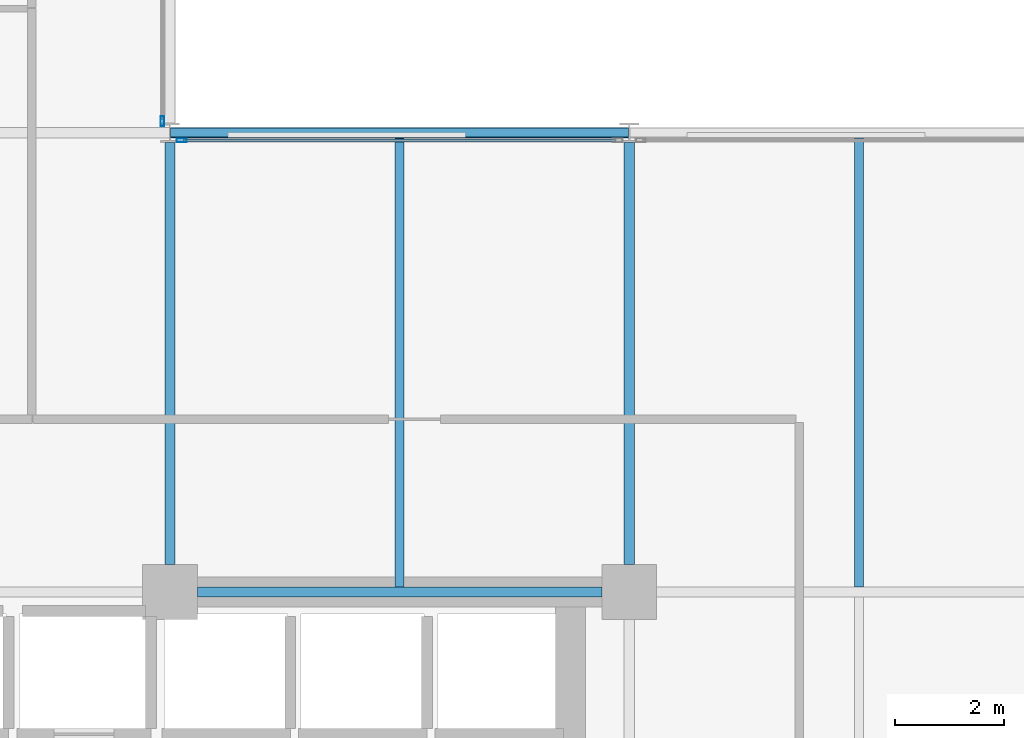
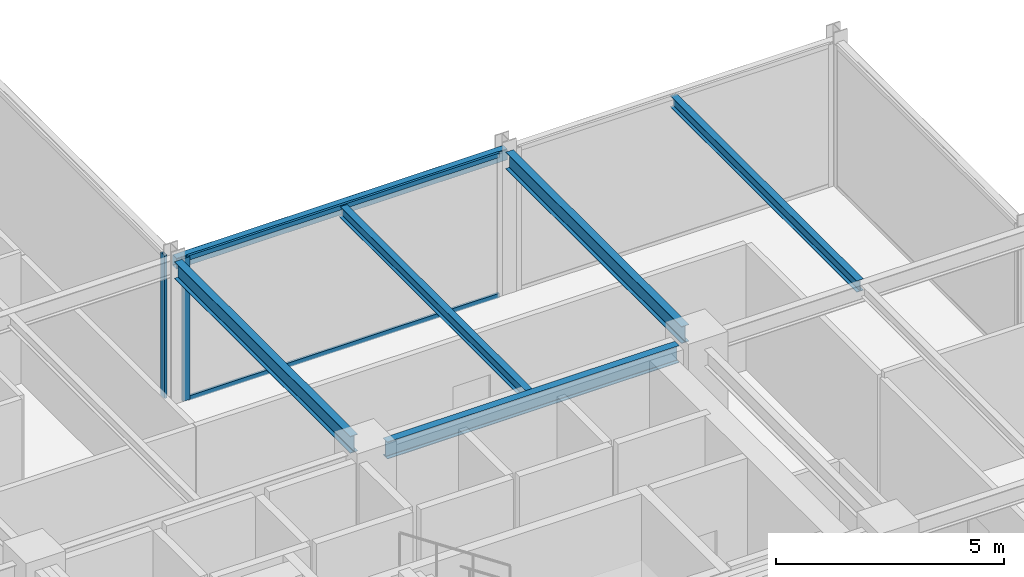
# One storey, part 14 of 29: 6 beams, 4 members, 2 elements without a shape of their own.
"""IFC4 building model written with IfcOpenShell, lengths in metres."""

from ifc_helpers import new_model, si_unit, direction, frame, origin, origin_2d, place, context, subcontext, project, spatial, hollow_rectangle, i_section, extrude, material, layer, layer_set, material_profile, profile_set, type_object, element, aggregate, save


model = new_model("IFC4")

# Units and contexts
model_context = context("Model", 3, precision=1e-05, world=origin(), true_north=direction((0.0, 1.0)))
body_context = subcontext(model_context, "Body", "Model", "MODEL_VIEW")
ifc_project = project(units=[si_unit("LENGTHUNIT", "METRE"), si_unit("AREAUNIT", "SQUARE_METRE"), si_unit("VOLUMEUNIT", "CUBIC_METRE"), si_unit("PLANEANGLEUNIT", "RADIAN"), si_unit("MASSUNIT", "GRAM", prefix="KILO")], contexts=[model_context])

# Site, building, storey
site_placement = place(None, origin())
site = spatial("IfcSite", under=ifc_project, at=site_placement, CompositionType="ELEMENT")
building_placement = place(site_placement, origin())
building = spatial("IfcBuilding", under=site, at=building_placement, Name="Nerrivon Quay Data Exchange", CompositionType="ELEMENT")
storey_placement = place(building_placement, frame((0.0, 0.0, 208.300048828125)))
storey = spatial("IfcBuildingStorey", under=building, at=storey_placement, Name="L49", CompositionType="ELEMENT", Elevation=208.300048828125)

# Beams
ifc_material_1 = material(Name="Steel Grade 350", Category="steel")
ifc_material_profile_1 = material_profile(ifc_material_1, i_section(OverallWidth=0.19091796875, OverallDepth=0.4599609375, WebThickness=0.010009765625, FlangeThickness=0.01611328125, FilletRadius=0.011474609375, at=origin_2d()), Name="460UB82.1")
ifc_profile_set_1 = profile_set([ifc_material_profile_1], Name="Steel Grade 350")
beam_type_1 = type_object("IfcBeamType", Name="BM-G5-460UB82", PredefinedType="BEAM", material=ifc_profile_set_1)
beam_1_placement = place(storey_placement, frame((25.699951171875, 16.800048828125, 3.594970703125), z_axis=(1.0, 0.0, 0.0), x_axis=(0.0, 1.0, 0.0)))
element("IfcBeam", 1, at=beam_1_placement, inside=storey, type_object=beam_type_1, Name="L49 EW Girder Y=16.8 (25.2..33.6)", PredefinedType="BEAM", context=body_context, shape_type="SweptSolid", body=[
    extrude(i_section(OverallWidth=0.19091796875, OverallDepth=0.4599609375, WebThickness=0.010009765625, FlangeThickness=0.01611328125, FilletRadius=0.011474609375, at=origin_2d()), origin(), (0.0, 0.0, 1.0), 7.400146484375),
])
ifc_material_profile_2 = material_profile(ifc_material_1, i_section(OverallWidth=0.18994140625, OverallDepth=0.4541015625, WebThickness=0.008544921875, FlangeThickness=0.0126953125, FilletRadius=0.011474609375, at=origin_2d()), Name="460UB67.1")
ifc_profile_set_2 = profile_set([ifc_material_profile_2], Name="Steel Grade 350")
beam_type_2 = type_object("IfcBeamType", Name="BM-G6-460UB67", PredefinedType="BEAM", material=ifc_profile_set_2)
for number, where, z_axis, x_axis, name in (
    (2, (25.199951171875, 17.300048828125, 3.597900390625), (0.0, 1.0, 0.0), (-1.0, 0.0, 0.0), "L49 NS Girder X=25.2 (16.8..25.2)"),
    (3, (33.60009765625, 17.300048828125, 3.597900390625), (0.0, 1.0, 0.0), (-1.0, 0.0, 0.0), "L49 NS Girder X=33.6 (16.8..25.2)"),
):
    element("IfcBeam", number, at=place(storey_placement, frame(where, z_axis=z_axis, x_axis=x_axis)), inside=storey, type_object=beam_type_2, Name=name, PredefinedType="BEAM", context=body_context, shape_type="SweptSolid", body=[
        extrude(i_section(OverallWidth=0.18994140625, OverallDepth=0.4541015625, WebThickness=0.008544921875, FlangeThickness=0.0126953125, FilletRadius=0.011474609375, at=origin_2d()), origin(), (0.0, 0.0, 1.0), 7.724853515625),
    ])
ifc_material_profile_3 = material_profile(ifc_material_1, i_section(OverallWidth=0.166015625, OverallDepth=0.306884765625, WebThickness=0.006591796875, FlangeThickness=0.01171875, FilletRadius=0.011474609375, at=origin_2d()), Name="310UB46.2")
ifc_profile_set_3 = profile_set([ifc_material_profile_3], Name="Steel Grade 350")
beam_type_3 = type_object("IfcBeamType", Name="BM-J5-310UB46", PredefinedType="JOIST", material=ifc_profile_set_3)
for number, where, z_axis, x_axis, name in (
    (4, (29.39990234375, 16.8955078125, 3.67138671875), (0.0, 1.0, 0.0), (-1.0, 0.0, 0.0), "L49 Secondary Joist X=29.4 (16.8..25.2)"),
    (5, (37.800048828125, 16.8955078125, 3.67138671875), (0.0, 1.0, 0.0), (-1.0, 0.0, 0.0), "L49 Secondary Joist X=37.8 (16.8..25.2)"),
):
    element("IfcBeam", number, at=place(storey_placement, frame(where, z_axis=z_axis, x_axis=x_axis)), inside=storey, type_object=beam_type_3, Name=name, PredefinedType="JOIST", context=body_context, shape_type="SweptSolid", body=[
        extrude(i_section(OverallWidth=0.166015625, OverallDepth=0.306884765625, WebThickness=0.006591796875, FlangeThickness=0.01171875, FilletRadius=0.011474609375, at=origin_2d()), origin(), (0.0, 0.0, 1.0), 8.20458984375),
    ])
ifc_material_2 = material(Name="Steel Grade C350L0 (350 MPa)", Category="steel")
ifc_material_profile_4 = material_profile(ifc_material_2, hollow_rectangle(XDim=0.199951171875, YDim=0.300048828125, WallThickness=0.012451171875, InnerFilletRadius=0.018798828125, OuterFilletRadius=0.03125, at=origin_2d()), Name="300x200x12.5RHS")
ifc_profile_set_4 = profile_set([ifc_material_profile_4], Name="Steel Grade C350L0 (350 MPa)")
beam_type_4 = type_object("IfcBeamType", Name="BM-SP3-300x200RHS", PredefinedType="SPANDREL", material=ifc_profile_set_4)
beam_2_placement = place(storey_placement, frame((25.2099609375, 25.199951171875, 3.675048828125), z_axis=(1.0, 0.0, 0.0), x_axis=(0.0, 1.0, 0.0)))
element("IfcBeam", 6, at=beam_2_placement, inside=storey, type_object=beam_type_4, Name="L49 EW Girder Y=25.2 (25.2..33.6)", PredefinedType="SPANDREL", context=body_context, shape_type="SweptSolid", body=[
    extrude(hollow_rectangle(XDim=0.199951171875, YDim=0.300048828125, WallThickness=0.012451171875, InnerFilletRadius=0.018798828125, OuterFilletRadius=0.03125, at=origin_2d()), origin(), (0.0, 0.0, 1.0), 8.380126953125),
])

# Curtain wall, member
ifc_material_3 = material(Name="Anodised aluminium 6063-T6", Category="aluminium")
ifc_layer = layer(ifc_material_3, 0.195068359375)
ifc_layer_set = layer_set([ifc_layer], Name="Anodised aluminium 6063-T6")
curtain_wall_type = type_object("IfcCurtainWallType", Name="CW-SYS-06", PredefinedType="NOTDEFINED", material=ifc_layer_set)
curtain_wall_1_placement = place(storey_placement, origin())
curtain_wall_1 = element("IfcCurtainWall", 7, at=curtain_wall_1_placement, inside=storey, type_object=curtain_wall_type, Name="L49 Unitised Curtain Wall 15", PredefinedType="NOTDEFINED")
ifc_material_profile_5 = material_profile(ifc_material_3, hollow_rectangle(XDim=0.06494140625, YDim=0.179931640625, WallThickness=0.00341796875, at=origin_2d()), Name="ALU-MULL-180x65")
ifc_profile_set_5 = profile_set([ifc_material_profile_5], Name="Anodised aluminium 6063-T6")
member_type_1 = type_object("IfcMemberType", Name="CWM-180x65", PredefinedType="MULLION", material=ifc_profile_set_5)
member_1_placement = place(storey_placement, frame((25.06005859375, 25.41259765625, 0.0), z_axis=(0.0, 0.0, 1.0), x_axis=(1.0, 0.0, 0.0)))
member_1 = element("IfcMember", 8, at=member_1_placement, type_object=member_type_1, Name="CW06 mullion 2", PredefinedType="MULLION", context=body_context, shape_type="SweptSolid", body=[
    extrude(hollow_rectangle(XDim=0.06494140625, YDim=0.179931640625, WallThickness=0.00341796875, at=origin_2d()), origin(), (0.0, 0.0, 1.0), 3.824951171875),
])
aggregate(curtain_wall_1, [member_1])

# Curtain wall, members
curtain_wall_2_placement = place(storey_placement, origin())
curtain_wall_2 = element("IfcCurtainWall", 9, at=curtain_wall_2_placement, inside=storey, type_object=curtain_wall_type, Name="L49 Unitised Curtain Wall 16", PredefinedType="NOTDEFINED")
member_2_placement = place(storey_placement, frame((25.41259765625, 25.06005859375, 0.0), z_axis=(0.0, 0.0, 1.0), x_axis=(0.0, 1.0, 0.0)))
member_2 = element("IfcMember", 10, at=member_2_placement, type_object=member_type_1, Name="CW06 mullion 1", PredefinedType="MULLION", context=body_context, shape_type="SweptSolid", body=[
    extrude(hollow_rectangle(XDim=0.06494140625, YDim=0.179931640625, WallThickness=0.00341796875, at=origin_2d()), origin(), (0.0, 0.0, 1.0), 3.824951171875),
])
ifc_material_profile_6 = material_profile(ifc_material_3, hollow_rectangle(XDim=0.06005859375, YDim=0.1201171875, WallThickness=0.003173828125, at=origin_2d()), Name="ALU-TRAN-120x60")
ifc_profile_set_6 = profile_set([ifc_material_profile_6], Name="Anodised aluminium 6063-T6")
member_type_2 = type_object("IfcMemberType", Name="CWT-120x60", PredefinedType="USERDEFINED", material=ifc_profile_set_6)
member_3_placement = place(storey_placement, frame((25.449951171875, 25.06005859375, 0.032470703125), z_axis=(1.0, 0.0, 0.0), x_axis=(0.0, 1.0, 0.0)))
member_3 = element("IfcMember", 11, at=member_3_placement, type_object=member_type_2, Name="CW06 transom 1.1", ObjectType="TRANSOM", PredefinedType="USERDEFINED", context=body_context, shape_type="SweptSolid", body=[
    extrude(hollow_rectangle(XDim=0.06005859375, YDim=0.1201171875, WallThickness=0.003173828125, at=origin_2d()), origin(), (0.0, 0.0, 1.0), 7.900146484375),
])
member_4_placement = place(storey_placement, frame((25.449951171875, 25.06005859375, 3.79248046875), z_axis=(1.0, 0.0, 0.0), x_axis=(0.0, 1.0, 0.0)))
member_4 = element("IfcMember", 12, at=member_4_placement, type_object=member_type_2, Name="CW06 transom 1.2", ObjectType="TRANSOM", PredefinedType="USERDEFINED", context=body_context, shape_type="SweptSolid", body=[
    extrude(hollow_rectangle(XDim=0.06005859375, YDim=0.1201171875, WallThickness=0.003173828125, at=origin_2d()), origin(), (0.0, 0.0, 1.0), 7.900146484375),
])
aggregate(curtain_wall_2, [member_2, member_3, member_4])

save(model, "model.ifc")
